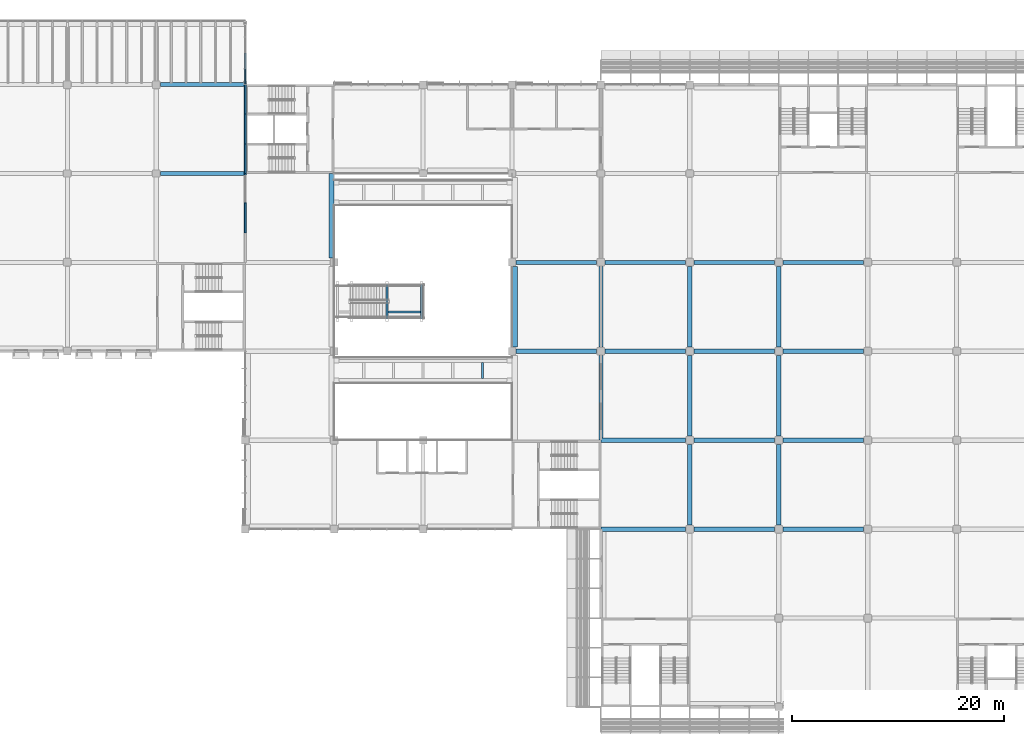
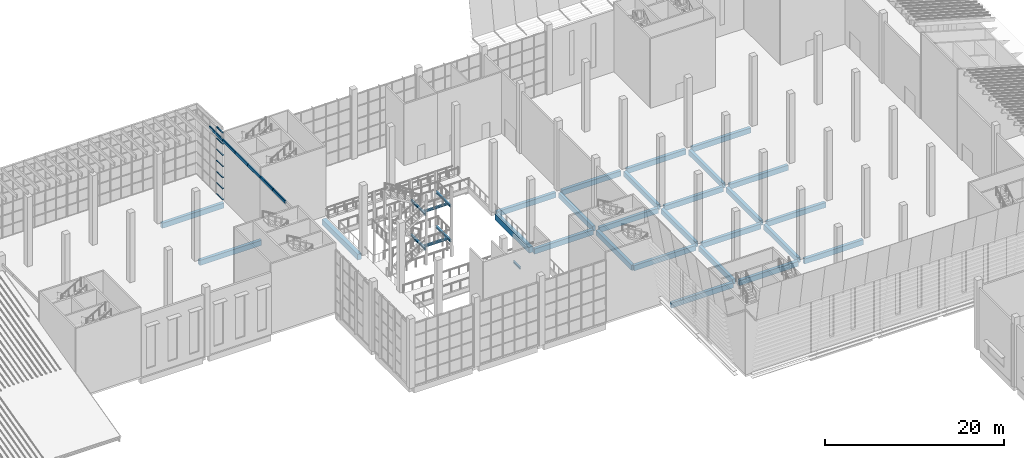
# One storey, part 22 of 114: 33 beams, 13 members, 1 element without a shape of its own.
"""IFC4 building model written with IfcOpenShell, lengths in metres."""

import ifcopenshell
import ifcopenshell.guid

model = None  # the IFC model being written
_history = None  # IfcOwnerHistory: only IFC2X3 demands one
_inside = {}  # id of a spatial element -> (the spatial element, [elements in it])
_under = {}  # id of a project, library or spatial element -> (it, [spatial elements below it])
_declared = {}  # id of a project -> (the project, [libraries it declares])
_typed = {}  # id of a type object -> (the type object, [elements of that type])
_made_of = {}  # id of a material, layer set ... -> (it, [elements and type objects made of it])


def new_model(schema):
    """Start an empty IFC model of exactly this schema.

    Asked for "IFC4X3", IfcOpenShell would pick the latest addendum, in which some entities
    have other attributes; the version numbers below select the first issue.
    IFC2X3 requires an IfcOwnerHistory on every rooted entity: one is made here for all.
    """
    global model, _history
    if schema == "IFC4X3":
        model = ifcopenshell.file(schema_version=(4, 3, 0, 0))
    else:
        model = ifcopenshell.file(schema=schema)
    _inside.clear()
    _under.clear()
    _declared.clear()
    _typed.clear()
    _made_of.clear()
    _history = None
    if model.schema == "IFC2X3":
        org = make("IfcOrganization", Name="unknown")
        user = make(
            "IfcPersonAndOrganization",
            ThePerson=make("IfcPerson", FamilyName="unknown"),
            TheOrganization=org,
        )
        app = make(
            "IfcApplication",
            ApplicationDeveloper=org,
            Version="unknown",
            ApplicationFullName="unknown",
            ApplicationIdentifier="unknown",
        )
        _history = make(
            "IfcOwnerHistory",
            OwningUser=user,
            OwningApplication=app,
            ChangeAction="ADDED",
            CreationDate=0,
        )
    return model


def make(cls, **values):
    """One entity of the class cls with the attributes given. An attribute that is None is left unset."""
    return model.create_entity(
        cls, **{name: value for name, value in values.items() if value is not None}
    )


def rooted(cls, **values):
    """An entity with a GlobalId (a new one), such as an element, a storey or a relation."""
    return make(cls, GlobalId=ifcopenshell.guid.new(), OwnerHistory=_history, **values)


def si_unit(unit_type, name, prefix=None):
    """IfcSIUnit, for example si_unit("LENGTHUNIT", "METRE", prefix="MILLI")."""
    return make("IfcSIUnit", UnitType=unit_type, Prefix=prefix, Name=name)


def assignment(units):
    """IfcUnitAssignment: the units of a project."""
    return None if units is None else make("IfcUnitAssignment", Units=units)


def point(xyz):
    """IfcCartesianPoint."""
    return None if xyz is None else make("IfcCartesianPoint", Coordinates=xyz)


def direction(xyz):
    """IfcDirection."""
    return None if xyz is None else make("IfcDirection", DirectionRatios=xyz)


def frame(location, z_axis=None, x_axis=None):
    """IfcAxis2Placement3D, a coordinate frame: its origin and axes. An axis left out is left unset."""
    return make(
        "IfcAxis2Placement3D",
        Location=point(location),
        Axis=direction(z_axis),
        RefDirection=direction(x_axis),
    )


def frame_2d(location, x_axis=None):
    """IfcAxis2Placement2D, a coordinate frame in the plane: its origin and x axis."""
    return make(
        "IfcAxis2Placement2D", Location=point(location), RefDirection=direction(x_axis)
    )


def origin():
    """The frame at (0, 0, 0) with its axes left unset."""
    return frame((0.0, 0.0, 0.0))


def origin_2d():
    """The frame at (0, 0) in the plane with its x axis left unset."""
    return frame_2d((0.0, 0.0))


def place(relative_to, where):
    """IfcLocalPlacement: puts the frame where relative to a parent placement (None: the world)."""
    return make(
        "IfcLocalPlacement", PlacementRelTo=relative_to, RelativePlacement=where
    )


def context(
    kind, dimensions, precision=None, world=None, true_north=None, identifier=None
):
    """IfcGeometricRepresentationContext, for example the 3D "Model" context."""
    return make(
        "IfcGeometricRepresentationContext",
        ContextIdentifier=identifier,
        ContextType=kind,
        CoordinateSpaceDimension=dimensions,
        Precision=precision,
        WorldCoordinateSystem=world,
        TrueNorth=true_north,
    )


def subcontext(parent, identifier, kind, view, scale=None):
    """IfcGeometricRepresentationSubContext, for example "Body" below "Model"."""
    return make(
        "IfcGeometricRepresentationSubContext",
        ContextIdentifier=identifier,
        ContextType=kind,
        ParentContext=parent,
        TargetScale=scale,
        TargetView=view,
    )


def project(units=None, contexts=None):
    """IfcProject with its units and contexts."""
    return rooted(
        "IfcProject",
        Name="project",
        RepresentationContexts=contexts,
        UnitsInContext=assignment(units),
    )


def spatial(cls, under=None, at=None, **own):
    """A site, building, storey or space (cls), placed at a placement, below another one or the project."""
    s = rooted(cls, ObjectPlacement=at, **own)
    if under is not None:
        _under.setdefault(under.id(), (under, []))[1].append(s)
    return s


def profile(cls, at=None, kind="AREA", **sizes):
    """A parametric profile (cls). Its sizes go by their IFC names, for example OverallWidth=200.0."""
    return make(cls, ProfileType=kind, Position=at, **sizes)


def rectangle(**sizes):
    """IfcRectangleProfileDef."""
    return profile("IfcRectangleProfileDef", **sizes)


def hollow_rectangle(**sizes):
    """IfcRectangleHollowProfileDef."""
    return profile("IfcRectangleHollowProfileDef", **sizes)


def i_section(**sizes):
    """IfcIShapeProfileDef."""
    return profile("IfcIShapeProfileDef", **sizes)


def extrude(swept, where, along, depth):
    """IfcExtrudedAreaSolid: the profile swept, set in the frame where, extruded along a direction by depth."""
    return make(
        "IfcExtrudedAreaSolid",
        SweptArea=swept,
        Position=where,
        ExtrudedDirection=direction(along),
        Depth=depth,
    )


def shape(context_of_items, identifier, shape_type, items):
    """IfcShapeRepresentation: the items that make up one representation, for example the "Body"."""
    return make(
        "IfcShapeRepresentation",
        ContextOfItems=context_of_items,
        RepresentationIdentifier=identifier,
        RepresentationType=shape_type,
        Items=items,
    )


def material(Name=None, Category=None):
    """IfcMaterial."""
    return make("IfcMaterial", Name=Name, Category=Category)


def material_profile(
    of_material, cross_section, Name=None, Category=None, Priority=None
):
    """IfcMaterialProfile: a cross section and its material."""
    return make(
        "IfcMaterialProfile",
        Name=Name,
        Material=of_material,
        Profile=cross_section,
        Priority=Priority,
        Category=Category,
    )


def profile_set(profiles, Name=None, composite=None):
    """IfcMaterialProfileSet."""
    return make(
        "IfcMaterialProfileSet",
        Name=Name,
        MaterialProfiles=profiles,
        CompositeProfile=composite,
    )


def made_of(thing, what):
    """Note that an element or type object is made of a material, layer set ...; save() writes the relation."""
    if what is not None:
        _made_of.setdefault(what.id(), (what, []))[1].append(thing)
    return thing


def type_object(cls, material=None, **own):
    """A type object (cls), such as IfcWallType, which elements share."""
    return made_of(rooted(cls, **own), material)


def element(
    cls,
    number,
    at=None,
    inside=None,
    cuts=None,
    type_object=None,
    material=None,
    context=None,
    identifier="Body",
    shape_type=None,
    held_by="IfcProductDefinitionShape",
    body=None,
    shapes=None,
    **own,
):
    """One element of the class cls, such as IfcWall. Its Tag is "e" and its number.

    at: its placement. inside: the storey or other place that contains it. cuts: it is an
    opening in that element (IfcRelVoidsElement). A single representation is given by context,
    identifier, shape_type and body (its items); several are given by shapes. held_by: the class
    of the entity that holds the representations. save() writes the other relations.
    """
    e = rooted(cls, Tag="e%d" % number, ObjectPlacement=at, **own)
    if body is not None:
        shapes = [shape(context, identifier, shape_type, body)]
    if shapes is not None:
        e.Representation = make(held_by, Representations=shapes)
    if inside is not None:
        _inside.setdefault(inside.id(), (inside, []))[1].append(e)
    if cuts is not None:
        rooted(
            "IfcRelVoidsElement", RelatingBuildingElement=cuts, RelatedOpeningElement=e
        )
    if type_object is not None:
        _typed.setdefault(type_object.id(), (type_object, []))[1].append(e)
    return made_of(e, material)


def aggregate(whole, parts):
    """IfcRelAggregates: a whole, such as a stair, and the parts it consists of."""
    return rooted("IfcRelAggregates", RelatingObject=whole, RelatedObjects=parts)


def save(model, path):
    """Write the relations noted so far, then the file.

    IfcRelAggregates (storeys below a building ...), IfcRelContainedInSpatialStructure (elements
    in a storey), IfcRelDefinesByType, IfcRelAssociatesMaterial and IfcRelDeclares: one each for
    every whole, place, type object, material and project.
    """
    for whole, parts in _under.values():
        aggregate(whole, parts)
    for where, things in _inside.values():
        rooted(
            "IfcRelContainedInSpatialStructure",
            RelatedElements=things,
            RelatingStructure=where,
        )
    for kind, things in _typed.values():
        rooted("IfcRelDefinesByType", RelatedObjects=things, RelatingType=kind)
    for what, things in _made_of.values():
        rooted("IfcRelAssociatesMaterial", RelatedObjects=things, RelatingMaterial=what)
    for by, libraries in _declared.values():
        rooted("IfcRelDeclares", RelatingContext=by, RelatedDefinitions=libraries)
    model.write(path)


model = new_model("IFC4")

# Units and contexts
model_context = context("Model", 3, precision=1e-05, world=origin(), true_north=direction((0.0, 1.0)))
body_context = subcontext(model_context, "Body", "Model", "MODEL_VIEW")
ifc_project = project(units=[si_unit("LENGTHUNIT", "METRE"), si_unit("AREAUNIT", "SQUARE_METRE"), si_unit("VOLUMEUNIT", "CUBIC_METRE"), si_unit("PLANEANGLEUNIT", "RADIAN"), si_unit("MASSUNIT", "GRAM", prefix="KILO")], contexts=[model_context])

# Site, building, storey
site_placement = place(None, origin())
site = spatial("IfcSite", under=ifc_project, at=site_placement, CompositionType="ELEMENT")
building_placement = place(site_placement, origin())
building = spatial("IfcBuilding", under=site, at=building_placement, Name="Almond Square Museum", CompositionType="ELEMENT")
storey_placement = place(building_placement, frame((0.0, 0.0, 10.5)))
storey = spatial("IfcBuildingStorey", under=building, at=storey_placement, Name="L02", CompositionType="ELEMENT", Elevation=10.5)

# Curtain wall, members
ifc_material_1 = material(Name="Aluminium and laminated glass", Category="aluminium")
curtain_wall_type = type_object("IfcCurtainWallType", Name="Unitised curtain wall 1500 module", PredefinedType="NOTDEFINED", material=ifc_material_1)
curtain_wall_placement = place(storey_placement, origin())
curtain_wall = element("IfcCurtainWall", 1, at=curtain_wall_placement, inside=storey, type_object=curtain_wall_type, Name="Curtain wall CW-20", PredefinedType="NOTDEFINED")
ifc_material_2 = material(Name="Anodised aluminium", Category="aluminium")
ifc_material_profile_1 = material_profile(ifc_material_2, rectangle(XDim=0.1201171875, YDim=0.06005859375, at=origin_2d()))
ifc_profile_set_1 = profile_set([ifc_material_profile_1], Name="Anodised aluminium")
member_type_1 = type_object("IfcMemberType", Name="Aluminium transom 60 x 120", PredefinedType="USERDEFINED", material=ifc_profile_set_1)
member_1_placement = place(storey_placement, frame((73.199951171875, 109.260009765625, 0.030029296875), z_axis=(0.0, 1.0, 0.0), x_axis=(-1.0, 0.0, 0.0)))
member_1 = element("IfcMember", 2, at=member_1_placement, type_object=member_type_1, Name="CW-20 transom 1.1", ObjectType="TRANSOM", PredefinedType="USERDEFINED", context=body_context, shape_type="SweptSolid", body=[
    extrude(rectangle(XDim=0.1201171875, YDim=0.06005859375, at=origin_2d()), origin(), (0.0, 0.0, 1.0), 1.409912109375),
])
member_2_placement = place(storey_placement, frame((73.199951171875, 109.260009765625, 1.527587890625), z_axis=(0.0, 1.0, 0.0), x_axis=(-1.0, 0.0, 0.0)))
member_2 = element("IfcMember", 3, at=member_2_placement, type_object=member_type_1, Name="CW-20 transom 1.2", ObjectType="TRANSOM", PredefinedType="USERDEFINED", context=body_context, shape_type="SweptSolid", body=[
    extrude(rectangle(XDim=0.1201171875, YDim=0.06005859375, at=origin_2d()), origin(), (0.0, 0.0, 1.0), 1.409912109375),
])
member_3_placement = place(storey_placement, frame((73.199951171875, 109.260009765625, 3.055419921875), z_axis=(0.0, 1.0, 0.0), x_axis=(-1.0, 0.0, 0.0)))
member_3 = element("IfcMember", 4, at=member_3_placement, type_object=member_type_1, Name="CW-20 transom 1.3", ObjectType="TRANSOM", PredefinedType="USERDEFINED", context=body_context, shape_type="SweptSolid", body=[
    extrude(rectangle(XDim=0.1201171875, YDim=0.06005859375, at=origin_2d()), origin(), (0.0, 0.0, 1.0), 1.409912109375),
])
member_4_placement = place(storey_placement, frame((73.199951171875, 109.260009765625, 4.5830078125), z_axis=(0.0, 1.0, 0.0), x_axis=(-1.0, 0.0, 0.0)))
member_4 = element("IfcMember", 5, at=member_4_placement, type_object=member_type_1, Name="CW-20 transom 1.4", ObjectType="TRANSOM", PredefinedType="USERDEFINED", context=body_context, shape_type="SweptSolid", body=[
    extrude(rectangle(XDim=0.1201171875, YDim=0.06005859375, at=origin_2d()), origin(), (0.0, 0.0, 1.0), 1.409912109375),
])
member_5_placement = place(storey_placement, frame((73.199951171875, 109.260009765625, 6.11083984375), z_axis=(0.0, 1.0, 0.0), x_axis=(-1.0, 0.0, 0.0)))
member_5 = element("IfcMember", 6, at=member_5_placement, type_object=member_type_1, Name="CW-20 transom 1.5", ObjectType="TRANSOM", PredefinedType="USERDEFINED", context=body_context, shape_type="SweptSolid", body=[
    extrude(rectangle(XDim=0.1201171875, YDim=0.06005859375, at=origin_2d()), origin(), (0.0, 0.0, 1.0), 1.409912109375),
])
member_6_placement = place(storey_placement, frame((73.199951171875, 109.260009765625, 7.638427734375), z_axis=(0.0, 1.0, 0.0), x_axis=(-1.0, 0.0, 0.0)))
member_6 = element("IfcMember", 7, at=member_6_placement, type_object=member_type_1, Name="CW-20 transom 1.6", ObjectType="TRANSOM", PredefinedType="USERDEFINED", context=body_context, shape_type="SweptSolid", body=[
    extrude(rectangle(XDim=0.1201171875, YDim=0.06005859375, at=origin_2d()), origin(), (0.0, 0.0, 1.0), 1.409912109375),
])
member_7_placement = place(storey_placement, frame((73.199951171875, 109.260009765625, 9.13623046875), z_axis=(0.0, 1.0, 0.0), x_axis=(-1.0, 0.0, 0.0)))
member_7 = element("IfcMember", 8, at=member_7_placement, type_object=member_type_1, Name="CW-20 transom 1.7", ObjectType="TRANSOM", PredefinedType="USERDEFINED", context=body_context, shape_type="SweptSolid", body=[
    extrude(rectangle(XDim=0.1201171875, YDim=0.06005859375, at=origin_2d()), origin(), (0.0, 0.0, 1.0), 1.409912109375),
])
aggregate(curtain_wall, [member_1, member_2, member_3, member_4, member_5, member_6, member_7])

# Beams
ifc_material_3 = material(Name="Structural steel S355", Category="steel")
ifc_material_profile_2 = material_profile(ifc_material_3, i_section(OverallWidth=0.202880859375, OverallDepth=0.302001953125, WebThickness=0.007568359375, FlangeThickness=0.01318359375, at=origin_2d()))
ifc_profile_set_2 = profile_set([ifc_material_profile_2], Name="Structural steel S355")
beam_type_1 = type_object("IfcBeamType", Name="Feature stair landing beam W310x60", PredefinedType="BEAM", material=ifc_profile_set_2)
for number, where, z_axis, x_axis, name in (
    (9, (86.594970703125, 87.074951171875, 2.02392578125), (0.0, 1.0, 0.0), (-1.0, 0.0, 0.0), "L02 atrium feature stair landing beam"),
    (10, (89.85009765625, 87.074951171875, 2.02392578125), (0.0, 1.0, 0.0), (-1.0, 0.0, 0.0), "L02 atrium feature stair landing beam"),
):
    element("IfcBeam", number, at=place(storey_placement, frame(where, z_axis=z_axis, x_axis=x_axis)), inside=storey, type_object=beam_type_1, Name=name, PredefinedType="BEAM", context=body_context, shape_type="SweptSolid", body=[
        extrude(i_section(OverallWidth=0.202880859375, OverallDepth=0.302001953125, WebThickness=0.007568359375, FlangeThickness=0.01318359375, at=origin_2d()), origin(), (0.0, 0.0, 1.0), 3.25),
    ])
beam_1_placement = place(storey_placement, frame((86.696533203125, 87.699951171875, 2.02392578125), z_axis=(1.0, 0.0, 0.0), x_axis=(0.0, 1.0, 0.0)))
element("IfcBeam", 11, at=beam_1_placement, inside=storey, type_object=beam_type_1, Name="L02 atrium feature stair landing trimmer", PredefinedType="BEAM", context=body_context, shape_type="SweptSolid", body=[
    extrude(i_section(OverallWidth=0.202880859375, OverallDepth=0.302001953125, WebThickness=0.007568359375, FlangeThickness=0.01318359375, at=origin_2d()), origin(), (0.0, 0.0, 1.0), 3.052001953125),
])
for number, where, z_axis, x_axis, name in (
    (12, (86.594970703125, 87.074951171875, 6.77392578125), (0.0, 1.0, 0.0), (-1.0, 0.0, 0.0), "L02 atrium feature stair landing beam"),
    (13, (89.85009765625, 87.074951171875, 6.77392578125), (0.0, 1.0, 0.0), (-1.0, 0.0, 0.0), "L02 atrium feature stair landing beam"),
):
    element("IfcBeam", number, at=place(storey_placement, frame(where, z_axis=z_axis, x_axis=x_axis)), inside=storey, type_object=beam_type_1, Name=name, PredefinedType="BEAM", context=body_context, shape_type="SweptSolid", body=[
        extrude(i_section(OverallWidth=0.202880859375, OverallDepth=0.302001953125, WebThickness=0.007568359375, FlangeThickness=0.01318359375, at=origin_2d()), origin(), (0.0, 0.0, 1.0), 3.25),
    ])
beam_2_placement = place(storey_placement, frame((86.696533203125, 87.699951171875, 6.77392578125), z_axis=(1.0, 0.0, 0.0), x_axis=(0.0, 1.0, 0.0)))
element("IfcBeam", 14, at=beam_2_placement, inside=storey, type_object=beam_type_1, Name="L02 atrium feature stair landing trimmer", PredefinedType="BEAM", context=body_context, shape_type="SweptSolid", body=[
    extrude(i_section(OverallWidth=0.202880859375, OverallDepth=0.302001953125, WebThickness=0.007568359375, FlangeThickness=0.01318359375, at=origin_2d()), origin(), (0.0, 0.0, 1.0), 3.052001953125),
])
ifc_material_4 = material(Name="Structural steel S355", Category="steel")
ifc_material_profile_3 = material_profile(ifc_material_4, i_section(OverallWidth=0.202880859375, OverallDepth=0.302001953125, WebThickness=0.007568359375, FlangeThickness=0.01318359375, at=origin_2d()))
ifc_profile_set_3 = profile_set([ifc_material_profile_3], Name="Structural steel S355")
beam_type_2 = type_object("IfcBeamType", Name="Floor beam W310x60", PredefinedType="BEAM", material=ifc_profile_set_3)
beam_3_placement = place(storey_placement, frame((95.60009765625, 81.446044921875, -0.301025390625), z_axis=(0.0, 1.0, 0.0), x_axis=(-1.0, 0.0, 0.0)))
element("IfcBeam", 15, at=beam_3_placement, inside=storey, type_object=beam_type_2, Name="Bridge 3 cross beam 5", PredefinedType="BEAM", context=body_context, shape_type="SweptSolid", body=[
    extrude(i_section(OverallWidth=0.202880859375, OverallDepth=0.302001953125, WebThickness=0.007568359375, FlangeThickness=0.01318359375, at=origin_2d()), origin(), (0.0, 0.0, 1.0), 1.508056640625),
])
ifc_material_5 = material(Name="Concrete C40/50", Category="concrete")
ifc_material_profile_4 = material_profile(ifc_material_5, rectangle(XDim=0.39990234375, YDim=0.699951171875, at=origin_2d()))
ifc_profile_set_4 = profile_set([ifc_material_profile_4], Name="Concrete C40/50")
beam_type_3 = type_object("IfcBeamType", Name="RC beam 400 x 700 C40/50", PredefinedType="BEAM", material=ifc_profile_set_4)
beam_4_placement = place(storey_placement, frame((106.800048828125, 67.199951171875, -0.60009765625), z_axis=(1.0, 0.0, 0.0), x_axis=(0.0, 1.0, 0.0)))
element("IfcBeam", 16, at=beam_4_placement, inside=storey, type_object=beam_type_3, Name="Beam I 14-15 L02", PredefinedType="BEAM", context=body_context, shape_type="SweptSolid", body=[
    extrude(rectangle(XDim=0.39990234375, YDim=0.699951171875, at=origin_2d()), origin(), (0.0, 0.0, 1.0), 8.0),
])
beam_5_placement = place(storey_placement, frame((115.60009765625, 67.199951171875, -0.60009765625), z_axis=(1.0, 0.0, 0.0), x_axis=(0.0, 1.0, 0.0)))
element("IfcBeam", 17, at=beam_5_placement, inside=storey, type_object=beam_type_3, Name="Beam I 15-16 L02", PredefinedType="BEAM", context=body_context, shape_type="SweptSolid", body=[
    extrude(rectangle(XDim=0.39990234375, YDim=0.699951171875, at=origin_2d()), origin(), (0.0, 0.0, 1.0), 7.599853515625),
])
beam_6_placement = place(storey_placement, frame((124.0, 67.199951171875, -0.60009765625), z_axis=(1.0, 0.0, 0.0), x_axis=(0.0, 1.0, 0.0)))
element("IfcBeam", 18, at=beam_6_placement, inside=storey, type_object=beam_type_3, Name="Beam I 16-17 L02", PredefinedType="BEAM", context=body_context, shape_type="SweptSolid", body=[
    extrude(rectangle(XDim=0.39990234375, YDim=0.699951171875, at=origin_2d()), origin(), (0.0, 0.0, 1.0), 7.60009765625),
])
beam_7_placement = place(storey_placement, frame((106.800048828125, 75.60009765625, -0.60009765625), z_axis=(1.0, 0.0, 0.0), x_axis=(0.0, 1.0, 0.0)))
element("IfcBeam", 19, at=beam_7_placement, inside=storey, type_object=beam_type_3, Name="Beam J 14-15 L02", PredefinedType="BEAM", context=body_context, shape_type="SweptSolid", body=[
    extrude(rectangle(XDim=0.39990234375, YDim=0.699951171875, at=origin_2d()), origin(), (0.0, 0.0, 1.0), 8.0),
])
beam_8_placement = place(storey_placement, frame((115.60009765625, 75.60009765625, -0.60009765625), z_axis=(1.0, 0.0, 0.0), x_axis=(0.0, 1.0, 0.0)))
element("IfcBeam", 20, at=beam_8_placement, inside=storey, type_object=beam_type_3, Name="Beam J 15-16 L02", PredefinedType="BEAM", context=body_context, shape_type="SweptSolid", body=[
    extrude(rectangle(XDim=0.39990234375, YDim=0.699951171875, at=origin_2d()), origin(), (0.0, 0.0, 1.0), 7.599853515625),
])
beam_9_placement = place(storey_placement, frame((124.0, 75.60009765625, -0.60009765625), z_axis=(1.0, 0.0, 0.0), x_axis=(0.0, 1.0, 0.0)))
element("IfcBeam", 21, at=beam_9_placement, inside=storey, type_object=beam_type_3, Name="Beam J 16-17 L02", PredefinedType="BEAM", context=body_context, shape_type="SweptSolid", body=[
    extrude(rectangle(XDim=0.39990234375, YDim=0.699951171875, at=origin_2d()), origin(), (0.0, 0.0, 1.0), 7.60009765625),
])
beam_10_placement = place(storey_placement, frame((98.800048828125, 84.0, -0.60009765625), z_axis=(1.0, 0.0, 0.0), x_axis=(0.0, 1.0, 0.0)))
element("IfcBeam", 22, at=beam_10_placement, inside=storey, type_object=beam_type_3, Name="Beam K 13-14 L02", PredefinedType="BEAM", context=body_context, shape_type="SweptSolid", body=[
    extrude(rectangle(XDim=0.39990234375, YDim=0.699951171875, at=origin_2d()), origin(), (0.0, 0.0, 1.0), 7.599853515625),
])
beam_11_placement = place(storey_placement, frame((107.199951171875, 84.0, -0.60009765625), z_axis=(1.0, 0.0, 0.0), x_axis=(0.0, 1.0, 0.0)))
element("IfcBeam", 23, at=beam_11_placement, inside=storey, type_object=beam_type_3, Name="Beam K 14-15 L02", PredefinedType="BEAM", context=body_context, shape_type="SweptSolid", body=[
    extrude(rectangle(XDim=0.39990234375, YDim=0.699951171875, at=origin_2d()), origin(), (0.0, 0.0, 1.0), 7.60009765625),
])
beam_12_placement = place(storey_placement, frame((115.60009765625, 84.0, -0.60009765625), z_axis=(1.0, 0.0, 0.0), x_axis=(0.0, 1.0, 0.0)))
element("IfcBeam", 24, at=beam_12_placement, inside=storey, type_object=beam_type_3, Name="Beam K 15-16 L02", PredefinedType="BEAM", context=body_context, shape_type="SweptSolid", body=[
    extrude(rectangle(XDim=0.39990234375, YDim=0.699951171875, at=origin_2d()), origin(), (0.0, 0.0, 1.0), 7.599853515625),
])
beam_13_placement = place(storey_placement, frame((124.0, 84.0, -0.60009765625), z_axis=(1.0, 0.0, 0.0), x_axis=(0.0, 1.0, 0.0)))
element("IfcBeam", 25, at=beam_13_placement, inside=storey, type_object=beam_type_3, Name="Beam K 16-17 L02", PredefinedType="BEAM", context=body_context, shape_type="SweptSolid", body=[
    extrude(rectangle(XDim=0.39990234375, YDim=0.699951171875, at=origin_2d()), origin(), (0.0, 0.0, 1.0), 7.60009765625),
])
beam_14_placement = place(storey_placement, frame((98.800048828125, 92.39990234375, -0.60009765625), z_axis=(1.0, 0.0, 0.0), x_axis=(0.0, 1.0, 0.0)))
element("IfcBeam", 26, at=beam_14_placement, inside=storey, type_object=beam_type_3, Name="Beam L 13-14 L02", PredefinedType="BEAM", context=body_context, shape_type="SweptSolid", body=[
    extrude(rectangle(XDim=0.39990234375, YDim=0.699951171875, at=origin_2d()), origin(), (0.0, 0.0, 1.0), 7.599853515625),
])
beam_15_placement = place(storey_placement, frame((107.199951171875, 92.39990234375, -0.60009765625), z_axis=(1.0, 0.0, 0.0), x_axis=(0.0, 1.0, 0.0)))
element("IfcBeam", 27, at=beam_15_placement, inside=storey, type_object=beam_type_3, Name="Beam L 14-15 L02", PredefinedType="BEAM", context=body_context, shape_type="SweptSolid", body=[
    extrude(rectangle(XDim=0.39990234375, YDim=0.699951171875, at=origin_2d()), origin(), (0.0, 0.0, 1.0), 7.60009765625),
])
beam_16_placement = place(storey_placement, frame((115.60009765625, 92.39990234375, -0.60009765625), z_axis=(1.0, 0.0, 0.0), x_axis=(0.0, 1.0, 0.0)))
element("IfcBeam", 28, at=beam_16_placement, inside=storey, type_object=beam_type_3, Name="Beam L 15-16 L02", PredefinedType="BEAM", context=body_context, shape_type="SweptSolid", body=[
    extrude(rectangle(XDim=0.39990234375, YDim=0.699951171875, at=origin_2d()), origin(), (0.0, 0.0, 1.0), 7.599853515625),
])
beam_17_placement = place(storey_placement, frame((124.0, 92.39990234375, -0.60009765625), z_axis=(1.0, 0.0, 0.0), x_axis=(0.0, 1.0, 0.0)))
element("IfcBeam", 29, at=beam_17_placement, inside=storey, type_object=beam_type_3, Name="Beam L 16-17 L02", PredefinedType="BEAM", context=body_context, shape_type="SweptSolid", body=[
    extrude(rectangle(XDim=0.39990234375, YDim=0.699951171875, at=origin_2d()), origin(), (0.0, 0.0, 1.0), 7.60009765625),
])
for number, where, z_axis, x_axis, name in (
    (30, (65.199951171875, 100.800048828125, -0.60009765625), (1.0, 0.0, 0.0), (0.0, 1.0, 0.0), "Beam M 9-10 L02"),
    (31, (65.199951171875, 109.199951171875, -0.60009765625), (1.0, 0.0, 0.0), (0.0, 1.0, 0.0), "Beam N 9-10 L02"),
    (32, (106.800048828125, 75.60009765625, -0.60009765625), (0.0, 1.0, 0.0), (-1.0, 0.0, 0.0), "Beam 14 J-K L02"),
):
    element("IfcBeam", number, at=place(storey_placement, frame(where, z_axis=z_axis, x_axis=x_axis)), inside=storey, type_object=beam_type_3, Name=name, PredefinedType="BEAM", context=body_context, shape_type="SweptSolid", body=[
        extrude(rectangle(XDim=0.39990234375, YDim=0.699951171875, at=origin_2d()), origin(), (0.0, 0.0, 1.0), 8.0),
    ])
beam_18_placement = place(storey_placement, frame((106.800048828125, 84.39990234375, -0.60009765625), z_axis=(0.0, 1.0, 0.0), x_axis=(-1.0, 0.0, 0.0)))
element("IfcBeam", 33, at=beam_18_placement, inside=storey, type_object=beam_type_3, Name="Beam 14 K-L L02", PredefinedType="BEAM", context=body_context, shape_type="SweptSolid", body=[
    extrude(rectangle(XDim=0.39990234375, YDim=0.699951171875, at=origin_2d()), origin(), (0.0, 0.0, 1.0), 7.60009765625),
])
beam_19_placement = place(storey_placement, frame((115.199951171875, 67.60009765625, -0.60009765625), z_axis=(0.0, 1.0, 0.0), x_axis=(-1.0, 0.0, 0.0)))
element("IfcBeam", 34, at=beam_19_placement, inside=storey, type_object=beam_type_3, Name="Beam 15 I-J L02", PredefinedType="BEAM", context=body_context, shape_type="SweptSolid", body=[
    extrude(rectangle(XDim=0.39990234375, YDim=0.699951171875, at=origin_2d()), origin(), (0.0, 0.0, 1.0), 7.599853515625),
])
for number, where, z_axis, x_axis, name in (
    (35, (115.199951171875, 76.0, -0.60009765625), (0.0, 1.0, 0.0), (-1.0, 0.0, 0.0), "Beam 15 J-K L02"),
    (36, (115.199951171875, 84.39990234375, -0.60009765625), (0.0, 1.0, 0.0), (-1.0, 0.0, 0.0), "Beam 15 K-L L02"),
):
    element("IfcBeam", number, at=place(storey_placement, frame(where, z_axis=z_axis, x_axis=x_axis)), inside=storey, type_object=beam_type_3, Name=name, PredefinedType="BEAM", context=body_context, shape_type="SweptSolid", body=[
        extrude(rectangle(XDim=0.39990234375, YDim=0.699951171875, at=origin_2d()), origin(), (0.0, 0.0, 1.0), 7.60009765625),
    ])
beam_20_placement = place(storey_placement, frame((123.60009765625, 67.60009765625, -0.60009765625), z_axis=(0.0, 1.0, 0.0), x_axis=(-1.0, 0.0, 0.0)))
element("IfcBeam", 37, at=beam_20_placement, inside=storey, type_object=beam_type_3, Name="Beam 16 I-J L02", PredefinedType="BEAM", context=body_context, shape_type="SweptSolid", body=[
    extrude(rectangle(XDim=0.39990234375, YDim=0.699951171875, at=origin_2d()), origin(), (0.0, 0.0, 1.0), 7.599853515625),
])
for number, where, z_axis, x_axis, name in (
    (38, (123.60009765625, 76.0, -0.60009765625), (0.0, 1.0, 0.0), (-1.0, 0.0, 0.0), "Beam 16 J-K L02"),
    (39, (123.60009765625, 84.39990234375, -0.60009765625), (0.0, 1.0, 0.0), (-1.0, 0.0, 0.0), "Beam 16 K-L L02"),
):
    element("IfcBeam", number, at=place(storey_placement, frame(where, z_axis=z_axis, x_axis=x_axis)), inside=storey, type_object=beam_type_3, Name=name, PredefinedType="BEAM", context=body_context, shape_type="SweptSolid", body=[
        extrude(rectangle(XDim=0.39990234375, YDim=0.699951171875, at=origin_2d()), origin(), (0.0, 0.0, 1.0), 7.60009765625),
    ])
ifc_material_6 = material(Name="Concrete C40/50", Category="concrete")
ifc_material_profile_5 = material_profile(ifc_material_6, rectangle(XDim=0.5, YDim=0.800048828125, at=origin_2d()))
ifc_profile_set_5 = profile_set([ifc_material_profile_5], Name="Concrete C40/50")
beam_type_4 = type_object("IfcBeamType", Name="RC edge beam 500 x 800 C40/50", PredefinedType="BEAM", material=ifc_profile_set_5)
beam_21_placement = place(storey_placement, frame((81.35009765625, 92.800048828125, -0.64990234375), z_axis=(0.0, 1.0, 0.0), x_axis=(-1.0, 0.0, 0.0)))
element("IfcBeam", 40, at=beam_21_placement, inside=storey, type_object=beam_type_4, Name="Edge beam 11 L-M L02", PredefinedType="BEAM", context=body_context, shape_type="SweptSolid", body=[
    extrude(rectangle(XDim=0.5, YDim=0.800048828125, at=origin_2d()), origin(), (0.0, 0.0, 1.0), 8.0),
])
beam_22_placement = place(storey_placement, frame((98.64990234375, 84.39990234375, -0.64990234375), z_axis=(0.0, 1.0, 0.0), x_axis=(-1.0, 0.0, 0.0)))
element("IfcBeam", 41, at=beam_22_placement, inside=storey, type_object=beam_type_4, Name="Edge beam 13 K-L L02", PredefinedType="BEAM", context=body_context, shape_type="SweptSolid", body=[
    extrude(rectangle(XDim=0.5, YDim=0.800048828125, at=origin_2d()), origin(), (0.0, 0.0, 1.0), 7.60009765625),
])

# Members
ifc_material_7 = material(Name="Structural steel S355", Category="steel")
ifc_material_profile_6 = material_profile(ifc_material_7, hollow_rectangle(XDim=0.199951171875, YDim=0.39990234375, WallThickness=0.012451171875, InnerFilletRadius=0.02490234375, OuterFilletRadius=0.03759765625, at=origin_2d()))
ifc_profile_set_6 = profile_set([ifc_material_profile_6], Name="Structural steel S355")
member_type_2 = type_object("IfcMemberType", Name="Truss chord RHS 400x200x12.5", PredefinedType="CHORD", material=ifc_profile_set_6)
for number, where, z_axis, x_axis, name in (
    (42, (73.199951171875, 95.199951171875, 8.199951171875), (0.0, 1.0, 0.0), (-1.0, 0.0, 0.0), "TR-17 top chord 2"),
    (43, (73.199951171875, 98.0, 8.199951171875), (0.0, 1.0, 0.0), (-1.0, 0.0, 0.0), "TR-17 top chord 3"),
    (44, (73.199951171875, 100.800048828125, 8.199951171875), (0.0, 1.0, 0.0), (-1.0, 0.0, 0.0), "TR-17 top chord 4"),
):
    element("IfcMember", number, at=place(storey_placement, frame(where, z_axis=z_axis, x_axis=x_axis)), inside=storey, type_object=member_type_2, Name=name, PredefinedType="CHORD", context=body_context, shape_type="SweptSolid", body=[
        extrude(hollow_rectangle(XDim=0.199951171875, YDim=0.39990234375, WallThickness=0.012451171875, InnerFilletRadius=0.02490234375, OuterFilletRadius=0.03759765625, at=origin_2d()), origin(), (0.0, 0.0, 1.0), 2.800048828125),
    ])
member_8_placement = place(storey_placement, frame((73.199951171875, 103.60009765625, 8.199951171875), z_axis=(0.0, 1.0, 0.0), x_axis=(-1.0, 0.0, 0.0)))
element("IfcMember", 45, at=member_8_placement, inside=storey, type_object=member_type_2, Name="TR-17 top chord 5", PredefinedType="CHORD", context=body_context, shape_type="SweptSolid", body=[
    extrude(hollow_rectangle(XDim=0.199951171875, YDim=0.39990234375, WallThickness=0.012451171875, InnerFilletRadius=0.02490234375, OuterFilletRadius=0.03759765625, at=origin_2d()), origin(), (0.0, 0.0, 1.0), 2.7998046875),
])
member_9_placement = place(storey_placement, frame((73.199951171875, 106.39990234375, 8.199951171875), z_axis=(0.0, 1.0, 0.0), x_axis=(-1.0, 0.0, 0.0)))
element("IfcMember", 46, at=member_9_placement, inside=storey, type_object=member_type_2, Name="TR-17 top chord 6", PredefinedType="CHORD", context=body_context, shape_type="SweptSolid", body=[
    extrude(hollow_rectangle(XDim=0.199951171875, YDim=0.39990234375, WallThickness=0.012451171875, InnerFilletRadius=0.02490234375, OuterFilletRadius=0.03759765625, at=origin_2d()), origin(), (0.0, 0.0, 1.0), 2.800048828125),
])
member_10_placement = place(storey_placement, frame((73.199951171875, 109.199951171875, 8.199951171875), z_axis=(0.0, 1.0, 0.0), x_axis=(-1.0, 0.0, 0.0)))
element("IfcMember", 47, at=member_10_placement, inside=storey, type_object=member_type_2, Name="TR-17 top chord 7", PredefinedType="CHORD", context=body_context, shape_type="SweptSolid", body=[
    extrude(hollow_rectangle(XDim=0.199951171875, YDim=0.39990234375, WallThickness=0.012451171875, InnerFilletRadius=0.02490234375, OuterFilletRadius=0.03759765625, at=origin_2d()), origin(), (0.0, 0.0, 1.0), 3.0),
])

save(model, "model.ifc")
